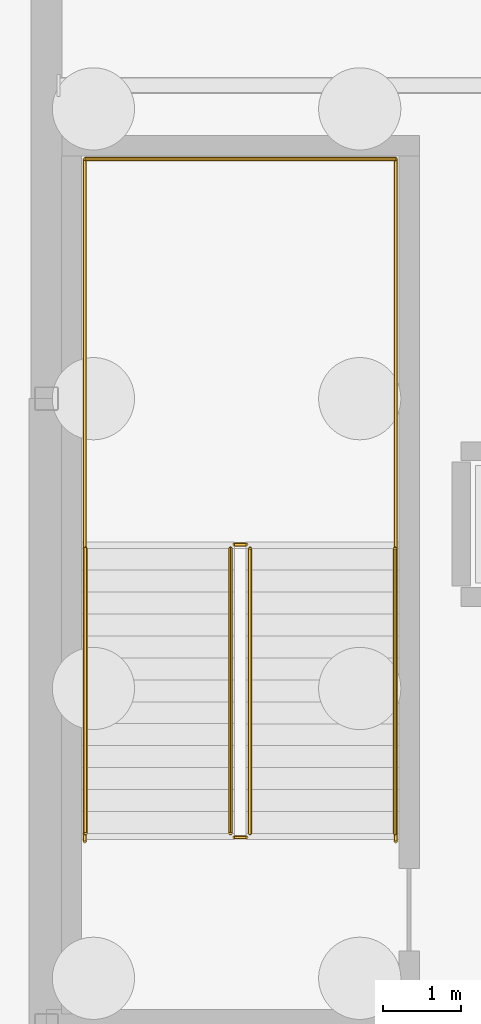
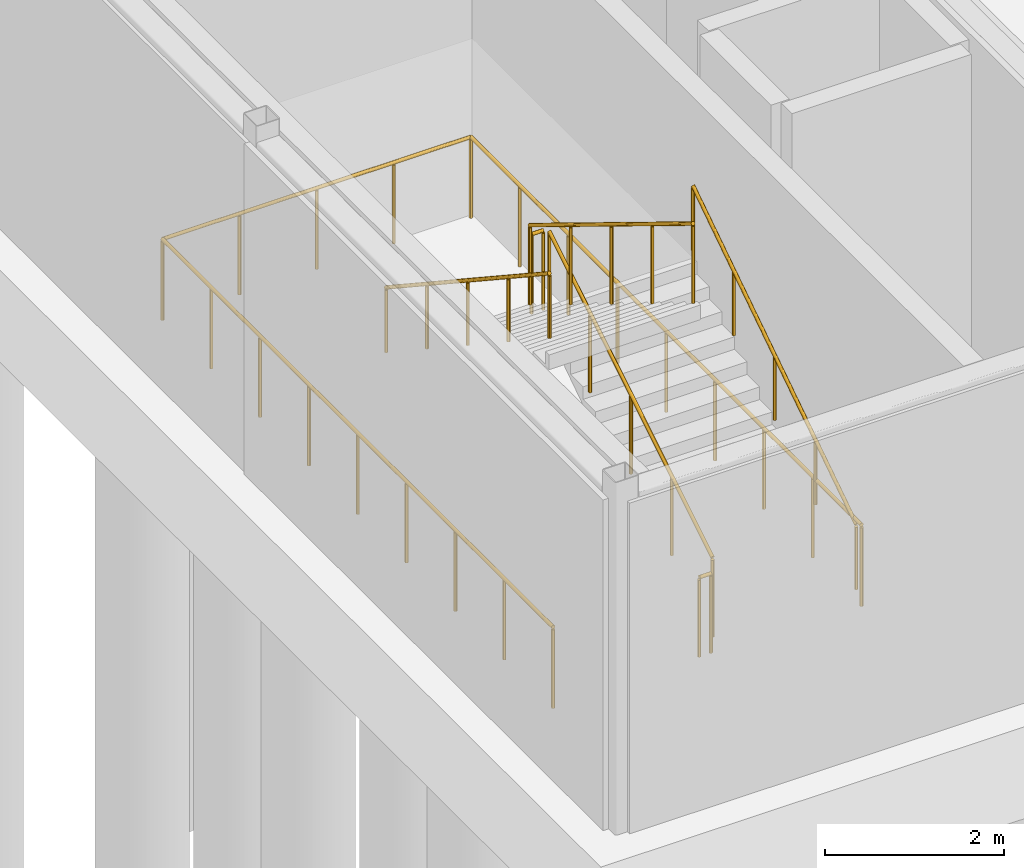
# One storey, part 98 of 105: 9 railings.
"""IFC4 building model written with IfcOpenShell, lengths in metres."""

from ifc_helpers import new_model, si_unit, direction, frame, origin, origin_2d, place, context, subcontext, project, spatial, circle, extrude, material, type_object, element, save


model = new_model("IFC4")

# Units and contexts
model_context = context("Model", 3, precision=1e-05, world=origin(), true_north=direction((0.0, 1.0)))
body_context = subcontext(model_context, "Body", "Model", "MODEL_VIEW")
ifc_project = project(units=[si_unit("LENGTHUNIT", "METRE"), si_unit("AREAUNIT", "SQUARE_METRE"), si_unit("VOLUMEUNIT", "CUBIC_METRE"), si_unit("PLANEANGLEUNIT", "RADIAN"), si_unit("MASSUNIT", "GRAM", prefix="KILO")], contexts=[model_context])

# Site, building, storey
site_placement = place(None, origin())
site = spatial("IfcSite", under=ifc_project, at=site_placement, CompositionType="ELEMENT")
building_placement = place(site_placement, origin())
building = spatial("IfcBuilding", under=site, at=building_placement, Name="Solmirada Galleria", CompositionType="ELEMENT")
storey_placement = place(building_placement, frame((0.0, 0.0, -4.800048828125)))
storey = spatial("IfcBuildingStorey", under=building, at=storey_placement, Name="B1", CompositionType="ELEMENT", Elevation=-4.800048828125)

# Railings
ifc_material = material(Name="Painted steel tubular railing", Category="steel")
railing_type_1 = type_object("IfcRailingType", Name="RAIL-STAIR-GUARD", PredefinedType="GUARDRAIL", material=ifc_material)
railing_1_placement = place(storey_placement, frame((42.60009765625, 2.449951171875, 0.17138671875)))
element("IfcRailing", 1, at=railing_1_placement, inside=storey, type_object=railing_type_1, Name="B1 ST5 stair guard 1", PredefinedType="GUARDRAIL", context=body_context, shape_type="SweptSolid", body=[
    extrude(circle(Radius=0.02392578125, at=origin_2d()), frame((0.0, 0.0, 1.076171875), z_axis=(0.0, 0.852840387347, 0.522171689878), x_axis=(-1.0, 0.0, 0.0)), (0.0, 0.0, 1.0), 4.268310546875),
    extrude(circle(Radius=0.02099609375, at=origin_2d()), origin(), (0.0, 0.0, 1.0), 1.048095703125),
    extrude(circle(Radius=0.02099609375, at=origin_2d()), frame((0.0, 0.91015625, 0.55712890625)), (0.0, 0.0, 1.0), 1.048095703125),
    extrude(circle(Radius=0.02099609375, at=origin_2d()), frame((0.0, 1.820068359375, 1.1142578125)), (0.0, 0.0, 1.0), 1.048095703125),
    extrude(circle(Radius=0.02099609375, at=origin_2d()), frame((0.0, 2.72998046875, 1.671630859375)), (0.0, 0.0, 1.0), 1.048095703125),
    extrude(circle(Radius=0.02099609375, at=origin_2d()), frame((0.0, 3.64013671875, 2.228759765625)), (0.0, 0.0, 1.0), 1.048095703125),
])
railing_2_placement = place(storey_placement, frame((42.550048828125, 6.139892578125, 2.400146484375)))
element("IfcRailing", 2, at=railing_2_placement, inside=storey, type_object=railing_type_1, Name="B1 ST5 stair guard 2", PredefinedType="GUARDRAIL", context=body_context, shape_type="SweptSolid", body=[
    extrude(circle(Radius=0.02392578125, at=origin_2d()), frame((0.0, 0.0, 1.076171875), z_axis=(-1.0, 0.0, 0.0), x_axis=(0.0, -1.0, 0.0)), (0.0, 0.0, 1.0), 0.150146484375),
    extrude(circle(Radius=0.02099609375, at=origin_2d()), origin(), (0.0, 0.0, 1.0), 1.048095703125),
    extrude(circle(Radius=0.02099609375, at=origin_2d()), frame((-0.150146484375, 0.0, 0.0)), (0.0, 0.0, 1.0), 1.048095703125),
])
railing_3_placement = place(storey_placement, frame((42.35009765625, 6.090087890625, 2.571533203125)))
element("IfcRailing", 3, at=railing_3_placement, inside=storey, type_object=railing_type_1, Name="B1 ST5 stair guard 3", PredefinedType="GUARDRAIL", context=body_context, shape_type="SweptSolid", body=[
    extrude(circle(Radius=0.02392578125, at=origin_2d()), frame((0.0, 0.0, 1.076171875), z_axis=(0.0, -0.852865859571, 0.52213008492), x_axis=(1.0, 0.0, 0.0)), (0.0, 0.0, 1.0), 4.26806640625),
    extrude(circle(Radius=0.02099609375, at=origin_2d()), origin(), (0.0, 0.0, 1.0), 1.048095703125),
    extrude(circle(Radius=0.02099609375, at=origin_2d()), frame((0.0, -0.91015625, 0.55712890625)), (0.0, 0.0, 1.0), 1.048095703125),
    extrude(circle(Radius=0.02099609375, at=origin_2d()), frame((0.0, -1.820068359375, 1.1142578125)), (0.0, 0.0, 1.0), 1.048095703125),
    extrude(circle(Radius=0.02099609375, at=origin_2d()), frame((0.0, -2.72998046875, 1.67138671875)), (0.0, 0.0, 1.0), 1.048095703125),
    extrude(circle(Radius=0.02099609375, at=origin_2d()), frame((0.0, -3.64013671875, 2.228515625)), (0.0, 0.0, 1.0), 1.048095703125),
])
railing_4_placement = place(storey_placement, frame((42.550048828125, 2.39990234375, 0.0)))
element("IfcRailing", 4, at=railing_4_placement, inside=storey, type_object=railing_type_1, Name="B1 ST5 stair guard 4", PredefinedType="GUARDRAIL", context=body_context, shape_type="SweptSolid", body=[
    extrude(circle(Radius=0.02392578125, at=origin_2d()), frame((0.0, 0.0, 1.076171875), z_axis=(-1.0, 0.0, 0.0), x_axis=(0.0, -1.0, 0.0)), (0.0, 0.0, 1.0), 0.150146484375),
    extrude(circle(Radius=0.02099609375, at=origin_2d()), origin(), (0.0, 0.0, 1.0), 1.048095703125),
    extrude(circle(Radius=0.02099609375, at=origin_2d()), frame((-0.150146484375, 0.0, 0.0)), (0.0, 0.0, 1.0), 1.048095703125),
])
railing_5_placement = place(storey_placement, frame((40.489990234375, 2.35009765625, 0.0)))
element("IfcRailing", 5, at=railing_5_placement, inside=storey, type_object=railing_type_1, Name="Stair ST5 well edge guard B1-1", PredefinedType="GUARDRAIL", context=body_context, shape_type="SweptSolid", body=[
    extrude(circle(Radius=0.02392578125, at=origin_2d()), frame((0.0, 0.0, 1.09619140625), z_axis=(0.0, 1.0, 0.0), x_axis=(-1.0, 0.0, 0.0)), (0.0, 0.0, 1.0), 8.7099609375),
    extrude(circle(Radius=0.02099609375, at=origin_2d()), origin(), (0.0, 0.0, 1.0), 1.068115234375),
    extrude(circle(Radius=0.02099609375, at=origin_2d()), frame((0.0, 1.0888671875, 0.0)), (0.0, 0.0, 1.0), 1.068115234375),
    extrude(circle(Radius=0.02099609375, at=origin_2d()), frame((0.0, 2.177490234375, 0.0)), (0.0, 0.0, 1.0), 1.068115234375),
    extrude(circle(Radius=0.02099609375, at=origin_2d()), frame((0.0, 3.26611328125, 0.0)), (0.0, 0.0, 1.0), 1.068115234375),
    extrude(circle(Radius=0.02099609375, at=origin_2d()), frame((0.0, 4.35498046875, 0.0)), (0.0, 0.0, 1.0), 1.068115234375),
    extrude(circle(Radius=0.02099609375, at=origin_2d()), frame((0.0, 5.44384765625, 0.0)), (0.0, 0.0, 1.0), 1.068115234375),
    extrude(circle(Radius=0.02099609375, at=origin_2d()), frame((0.0, 6.532470703125, 0.0)), (0.0, 0.0, 1.0), 1.068115234375),
    extrude(circle(Radius=0.02099609375, at=origin_2d()), frame((0.0, 7.62109375, 0.0)), (0.0, 0.0, 1.0), 1.068115234375),
    extrude(circle(Radius=0.02099609375, at=origin_2d()), frame((0.0, 8.7099609375, 0.0)), (0.0, 0.0, 1.0), 1.068115234375),
])
railing_6_placement = place(storey_placement, frame((40.489990234375, 11.06005859375, 0.0)))
element("IfcRailing", 6, at=railing_6_placement, inside=storey, type_object=railing_type_1, Name="Stair ST5 well edge guard B1-2", PredefinedType="GUARDRAIL", context=body_context, shape_type="SweptSolid", body=[
    extrude(circle(Radius=0.02392578125, at=origin_2d()), frame((0.0, 0.0, 1.09619140625), z_axis=(1.0, 0.0, 0.0), x_axis=(0.0, 1.0, 0.0)), (0.0, 0.0, 1.0), 3.969970703125),
    extrude(circle(Radius=0.02099609375, at=origin_2d()), origin(), (0.0, 0.0, 1.0), 1.068115234375),
    extrude(circle(Radius=0.02099609375, at=origin_2d()), frame((0.992431640625, 0.0, 0.0)), (0.0, 0.0, 1.0), 1.068115234375),
    extrude(circle(Radius=0.02099609375, at=origin_2d()), frame((1.98486328125, 0.0, 0.0)), (0.0, 0.0, 1.0), 1.068115234375),
    extrude(circle(Radius=0.02099609375, at=origin_2d()), frame((2.9775390625, 0.0, 0.0)), (0.0, 0.0, 1.0), 1.068115234375),
    extrude(circle(Radius=0.02099609375, at=origin_2d()), frame((3.969970703125, 0.0, 0.0)), (0.0, 0.0, 1.0), 1.068115234375),
])
railing_7_placement = place(storey_placement, frame((44.4599609375, 11.06005859375, 0.0)))
element("IfcRailing", 7, at=railing_7_placement, inside=storey, type_object=railing_type_1, Name="Stair ST5 well edge guard B1-3", PredefinedType="GUARDRAIL", context=body_context, shape_type="SweptSolid", body=[
    extrude(circle(Radius=0.02392578125, at=origin_2d()), frame((0.0, 0.0, 1.09619140625), z_axis=(0.0, -1.0, 0.0), x_axis=(1.0, 0.0, 0.0)), (0.0, 0.0, 1.0), 8.7099609375),
    extrude(circle(Radius=0.02099609375, at=origin_2d()), origin(), (0.0, 0.0, 1.0), 1.068115234375),
    extrude(circle(Radius=0.02099609375, at=origin_2d()), frame((0.0, -1.0888671875, 0.0)), (0.0, 0.0, 1.0), 1.068115234375),
    extrude(circle(Radius=0.02099609375, at=origin_2d()), frame((0.0, -2.177490234375, 0.0)), (0.0, 0.0, 1.0), 1.068115234375),
    extrude(circle(Radius=0.02099609375, at=origin_2d()), frame((0.0, -3.26611328125, 0.0)), (0.0, 0.0, 1.0), 1.068115234375),
    extrude(circle(Radius=0.02099609375, at=origin_2d()), frame((0.0, -4.35498046875, 0.0)), (0.0, 0.0, 1.0), 1.068115234375),
    extrude(circle(Radius=0.02099609375, at=origin_2d()), frame((0.0, -5.44384765625, 0.0)), (0.0, 0.0, 1.0), 1.068115234375),
    extrude(circle(Radius=0.02099609375, at=origin_2d()), frame((0.0, -6.532470703125, 0.0)), (0.0, 0.0, 1.0), 1.068115234375),
    extrude(circle(Radius=0.02099609375, at=origin_2d()), frame((0.0, -7.62109375, 0.0)), (0.0, 0.0, 1.0), 1.068115234375),
    extrude(circle(Radius=0.02099609375, at=origin_2d()), frame((0.0, -8.7099609375, 0.0)), (0.0, 0.0, 1.0), 1.068115234375),
])
railing_type_2 = type_object("IfcRailingType", Name="RAIL-STAIR-HAND", PredefinedType="HANDRAIL", material=ifc_material)
railing_8_placement = place(storey_placement, frame((44.449951171875, 2.449951171875, 0.17138671875)))
element("IfcRailing", 8, at=railing_8_placement, inside=storey, type_object=railing_type_2, Name="B1 ST5 stair handrail 1", PredefinedType="HANDRAIL", context=body_context, shape_type="SweptSolid", body=[
    extrude(circle(Radius=0.02392578125, at=origin_2d()), frame((0.0, 0.0, 0.8759765625), z_axis=(0.0, 0.834856447115, 0.55046772177), x_axis=(-1.0, 0.0, 0.0)), (0.0, 0.0, 1.0), 4.360107421875),
    extrude(circle(Radius=0.02099609375, at=origin_2d()), origin(), (0.0, 0.0, 1.0), 0.847900390625),
    extrude(circle(Radius=0.02099609375, at=origin_2d()), frame((0.0, 0.91015625, 0.60009765625)), (0.0, 0.0, 1.0), 0.847900390625),
    extrude(circle(Radius=0.02099609375, at=origin_2d()), frame((0.0, 1.820068359375, 1.2001953125)), (0.0, 0.0, 1.0), 0.847900390625),
    extrude(circle(Radius=0.02099609375, at=origin_2d()), frame((0.0, 2.72998046875, 1.800048828125)), (0.0, 0.0, 1.0), 0.847900390625),
    extrude(circle(Radius=0.02099609375, at=origin_2d()), frame((0.0, 3.64013671875, 2.400146484375)), (0.0, 0.0, 1.0), 0.847900390625),
])
railing_9_placement = place(storey_placement, frame((40.5, 6.090087890625, 2.571533203125)))
element("IfcRailing", 9, at=railing_9_placement, inside=storey, type_object=railing_type_2, Name="B1 ST5 stair handrail 2", PredefinedType="HANDRAIL", context=body_context, shape_type="SweptSolid", body=[
    extrude(circle(Radius=0.02392578125, at=origin_2d()), frame((0.0, 0.0, 0.8759765625), z_axis=(0.0, -0.83488217925, 0.55042869363), x_axis=(1.0, 0.0, 0.0)), (0.0, 0.0, 1.0), 4.360107421875),
    extrude(circle(Radius=0.02099609375, at=origin_2d()), origin(), (0.0, 0.0, 1.0), 0.847900390625),
    extrude(circle(Radius=0.02099609375, at=origin_2d()), frame((0.0, -0.91015625, 0.60009765625)), (0.0, 0.0, 1.0), 0.847900390625),
    extrude(circle(Radius=0.02099609375, at=origin_2d()), frame((0.0, -1.820068359375, 1.199951171875)), (0.0, 0.0, 1.0), 0.847900390625),
    extrude(circle(Radius=0.02099609375, at=origin_2d()), frame((0.0, -2.72998046875, 1.7998046875)), (0.0, 0.0, 1.0), 0.847900390625),
    extrude(circle(Radius=0.02099609375, at=origin_2d()), frame((0.0, -3.64013671875, 2.39990234375)), (0.0, 0.0, 1.0), 0.847900390625),
])

save(model, "model.ifc")
